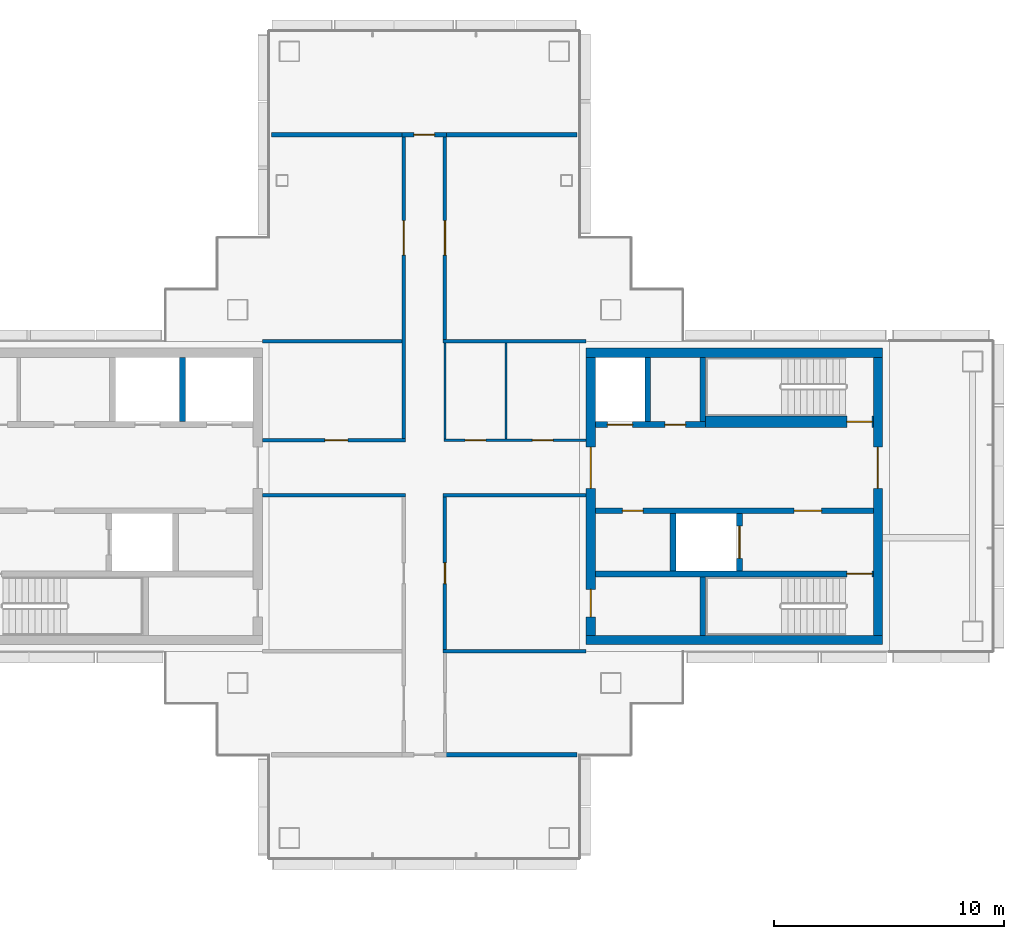
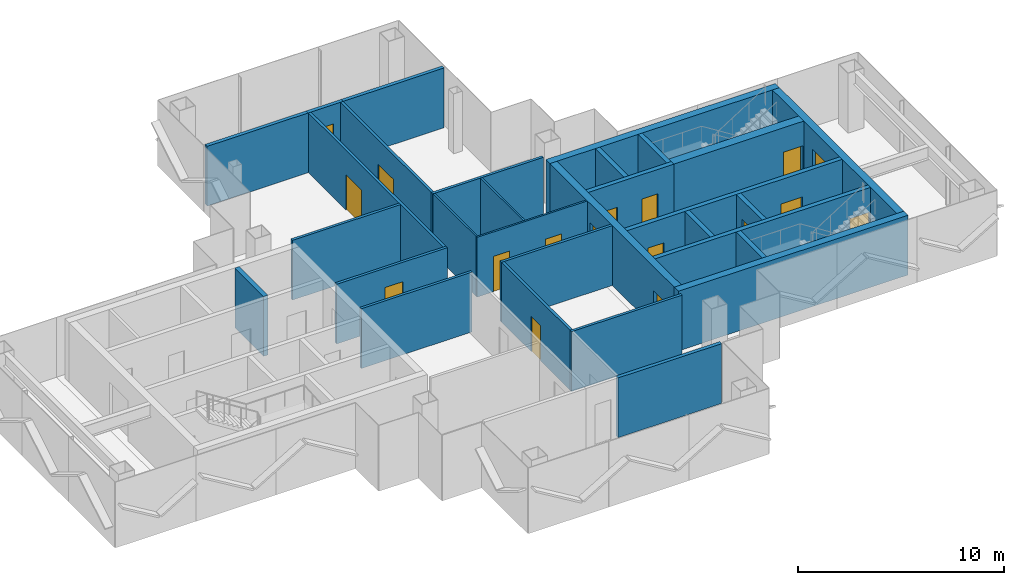
# One storey, part 12 of 17: 30 walls, 17 doors, 17 openings.
"""IFC4 building model written with IfcOpenShell, lengths in metres."""

from ifc_helpers import new_model, si_unit, direction, frame, frame_2d, origin, place, context, subcontext, project, spatial, rectangle, extrude, material, layer, layer_set, type_object, element, fill, save


model = new_model("IFC4")

# Units and contexts
model_context = context("Model", 3, precision=1e-05, world=origin(), true_north=direction((0.0, 1.0)))
body_context = subcontext(model_context, "Body", "Model", "MODEL_VIEW")
ifc_project = project(units=[si_unit("LENGTHUNIT", "METRE"), si_unit("AREAUNIT", "SQUARE_METRE"), si_unit("VOLUMEUNIT", "CUBIC_METRE"), si_unit("PLANEANGLEUNIT", "RADIAN"), si_unit("MASSUNIT", "GRAM", prefix="KILO")], contexts=[model_context])

# Site, building, storey
site_placement = place(None, origin())
site = spatial("IfcSite", under=ifc_project, at=site_placement, CompositionType="ELEMENT")
building_placement = place(site_placement, origin())
building = spatial("IfcBuilding", under=site, at=building_placement, Name="Shamsa Quay Exchange Towers", CompositionType="ELEMENT")
storey_placement = place(building_placement, frame((0.0, 0.0, 253.800048828125)))
storey = spatial("IfcBuildingStorey", under=building, at=storey_placement, Name="L61", CompositionType="ELEMENT", Elevation=253.800048828125)

# Wall, opening, door
ifc_material_1 = material(Name="Double-leaf gypsum board partition with acoustic insulation")
ifc_layer_1 = layer(ifc_material_1, 0.199951171875)
ifc_layer_set_1 = layer_set([ifc_layer_1], Name="Acoustic partition 200 mm EI 60")
wall_type_1 = type_object("IfcWallType", Name="Acoustic partition 200 mm EI 60", PredefinedType="PARTITIONING", material=ifc_layer_set_1)
wall_1_placement = place(storey_placement, frame((32.774658203125, 15.75, 0.0)))
wall_1 = element("IfcWall", 1, at=wall_1_placement, inside=storey, type_object=wall_type_1, Name="Partition T2-R27-W10", PredefinedType="PARTITIONING", context=body_context, shape_type="SweptSolid", body=[
    extrude(rectangle(XDim=1.95068359375, YDim=0.199951171875, at=frame_2d((0.975341796875, 0.0))), origin(), (0.0, 0.0, 1.0), 3.550048828125),
])
opening_1_placement = place(wall_1_placement, frame((0.525390625, 0.0, 0.0)))
opening_1 = element("IfcOpeningElement", 2, at=opening_1_placement, cuts=wall_1, Name="Opening T2-R27-D06", PredefinedType="OPENING", context=body_context, shape_type="SweptSolid", body=[
    extrude(rectangle(XDim=0.89990234375, YDim=2.39990234375, at=frame_2d((0.449951171875, 1.199951171875))), frame((0.0, 0.10986328125, 0.0), z_axis=(0.0, -1.0, 0.0), x_axis=(1.0, 0.0, 0.0)), (0.0, 0.0, 1.0), 0.219970703125),
])
ifc_material_2 = material(Name="Timber door leaf in a metal frame", Category="wood")
door_type_1 = type_object("IfcDoorType", Name="Door 900x2400 FD30S", OperationType="NOTDEFINED", PredefinedType="DOOR", material=ifc_material_2)
door_1_placement = place(opening_1_placement, origin())
door_1 = element("IfcDoor", 3, at=door_1_placement, inside=storey, type_object=door_type_1, Name="Door T2-R27-D06", OperationType="SINGLE_SWING_RIGHT", OverallHeight=2.39990234375, OverallWidth=0.89990234375, PredefinedType="DOOR", context=body_context, shape_type="SweptSolid", body=[
    extrude(rectangle(XDim=0.89990234375, YDim=2.39990234375, at=frame_2d((0.449951171875, 1.199951171875))), frame((0.0, 0.02490234375, 0.0), z_axis=(0.0, -1.0, 0.0), x_axis=(1.0, 0.0, 0.0)), (0.0, 0.0, 1.0), 0.050048828125),
])
fill(opening_1, door_1)

# Walls
for number, where, z_axis, x_axis, name in (
    (4, (32.924560546875, 15.75, 0.0), (0.0, 0.0, 1.0), (-1.0, 0.0, 0.0), "Partition T2-R27-W18"),
    (5, (40.405029296875, 15.75, 0.0), (0.0, 0.0, 1.0), (-1.0, 0.0, 0.0), "Partition T2-R27-W19"),
):
    element("IfcWall", number, at=place(storey_placement, frame(where, z_axis=z_axis, x_axis=x_axis)), inside=storey, type_object=wall_type_1, Name=name, PredefinedType="PARTITIONING", context=body_context, shape_type="SweptSolid", body=[
        extrude(rectangle(XDim=5.82958984375, YDim=0.199951171875, at=frame_2d((2.914794921875, 0.0))), origin(), (0.0, 0.0, 1.0), 3.550048828125),
    ])
wall_2_placement = place(storey_placement, frame((34.587890625, -11.25, 0.0)))
element("IfcWall", 6, at=wall_2_placement, inside=storey, type_object=wall_type_1, Name="Partition T2-R27-W20", PredefinedType="PARTITIONING", context=body_context, shape_type="SweptSolid", body=[
    extrude(rectangle(XDim=5.817138671875, YDim=0.199951171875, at=frame_2d((2.90869140625, 0.0))), origin(), (0.0, 0.0, 1.0), 3.550048828125),
])
ifc_material_3 = material(Name="Concrete C60/75", Category="concrete")
ifc_layer_2 = layer(ifc_material_3, 0.39990234375)
ifc_layer_set_2 = layer_set([ifc_layer_2], Name="CORE WALL 400 C60/75")
wall_type_2 = type_object("IfcWallType", Name="CORE WALL 400 C60/75", PredefinedType="SHEAR", material=ifc_layer_set_2)
for number, where, z_axis, x_axis, name in (
    (7, (53.699951171875, -6.25, 0.0), (0.0, 0.0, 1.0), (-1.0, 0.0, 0.0), "Core wall T2B-R27-PS"),
    (8, (53.699951171875, 6.25, 0.0), (0.0, 0.0, 1.0), (-1.0, 0.0, 0.0), "Core wall T2B-R27-PN"),
):
    element("IfcWall", number, at=place(storey_placement, frame(where, z_axis=z_axis, x_axis=x_axis)), inside=storey, type_object=wall_type_2, Name=name, PredefinedType="SHEAR", context=body_context, shape_type="SweptSolid", body=[
        extrude(rectangle(XDim=12.89990234375, YDim=0.39990234375, at=frame_2d((6.449951171875, 0.0))), origin(), (0.0, 0.0, 1.0), 3.550048828125),
    ])

# Wall, opening, door
wall_3_placement = place(storey_placement, frame((53.5, -6.050048828125, 0.0), z_axis=(0.0, 0.0, 1.0), x_axis=(0.0, 1.0, 0.0)))
wall_3 = element("IfcWall", 9, at=wall_3_placement, inside=storey, type_object=wall_type_2, Name="Core wall T2B-R27-PF", PredefinedType="SHEAR", context=body_context, shape_type="SweptSolid", body=[
    extrude(rectangle(XDim=12.10009765625, YDim=0.39990234375, at=frame_2d((6.050048828125, 0.0))), origin(), (0.0, 0.0, 1.0), 3.550048828125),
])
opening_2_placement = place(wall_3_placement, frame((6.39990234375, 0.0, 0.0)))
opening_2 = element("IfcOpeningElement", 10, at=opening_2_placement, cuts=wall_3, Name="Opening T2B-R27-LBD01", PredefinedType="OPENING", context=body_context, shape_type="SweptSolid", body=[
    extrude(rectangle(XDim=1.800048828125, YDim=2.39990234375, at=frame_2d((0.89990234375, 1.199951171875))), frame((0.0, 0.2099609375, 0.0), z_axis=(0.0, -1.0, 0.0), x_axis=(1.0, 0.0, 0.0)), (0.0, 0.0, 1.0), 0.419921875),
])
ifc_material_4 = material(Name="Steel, fire rated", Category="steel")
door_type_2 = type_object("IfcDoorType", Name="LIFT LOBBY DOOR PAIR 1800", OperationType="DOUBLE_DOOR_SINGLE_SWING", PredefinedType="DOOR", material=ifc_material_4)
door_2_placement = place(opening_2_placement, origin())
door_2 = element("IfcDoor", 11, at=door_2_placement, inside=storey, type_object=door_type_2, Name="T2B-R27-LBD01", OperationType="DOUBLE_DOOR_SINGLE_SWING", OverallHeight=2.39990234375, OverallWidth=1.800048828125, PredefinedType="DOOR", context=body_context, shape_type="SweptSolid", body=[
    extrude(rectangle(XDim=1.800048828125, YDim=2.39990234375, at=frame_2d((0.89990234375, 1.199951171875))), frame((0.0, 0.02490234375, 0.0), z_axis=(0.0, -1.0, 0.0), x_axis=(1.0, 0.0, 0.0)), (0.0, 0.0, 1.0), 0.050048828125),
])
fill(opening_2, door_2)

# Wall, openings, doors
wall_4_placement = place(storey_placement, frame((41.0, -6.050048828125, 0.0), z_axis=(0.0, 0.0, 1.0), x_axis=(0.0, 1.0, 0.0)))
wall_4 = element("IfcWall", 12, at=wall_4_placement, inside=storey, type_object=wall_type_2, Name="Core wall T2B-R27-PB", PredefinedType="SHEAR", context=body_context, shape_type="SweptSolid", body=[
    extrude(rectangle(XDim=12.10009765625, YDim=0.39990234375, at=frame_2d((6.050048828125, 0.0))), origin(), (0.0, 0.0, 1.0), 3.550048828125),
])
opening_3_placement = place(wall_4_placement, frame((0.800048828125, 0.0, 0.0)))
opening_3 = element("IfcOpeningElement", 13, at=opening_3_placement, cuts=wall_4, Name="Opening T2B-R27-RD02", PredefinedType="OPENING", context=body_context, shape_type="SweptSolid", body=[
    extrude(rectangle(XDim=1.199951171875, YDim=2.10009765625, at=frame_2d((0.60009765625, 1.050048828125))), frame((0.0, 0.2099609375, 0.0), z_axis=(0.0, -1.0, 0.0), x_axis=(1.0, 0.0, 0.0)), (0.0, 0.0, 1.0), 0.419921875),
])
opening_4_placement = place(wall_4_placement, frame((6.39990234375, 0.0, 0.0)))
opening_4 = element("IfcOpeningElement", 14, at=opening_4_placement, cuts=wall_4, Name="Opening T2B-R27-LBD03", PredefinedType="OPENING", context=body_context, shape_type="SweptSolid", body=[
    extrude(rectangle(XDim=1.800048828125, YDim=2.39990234375, at=frame_2d((0.89990234375, 1.199951171875))), frame((0.0, 0.2099609375, 0.0), z_axis=(0.0, -1.0, 0.0), x_axis=(1.0, 0.0, 0.0)), (0.0, 0.0, 1.0), 0.419921875),
])
door_3_placement = place(opening_4_placement, origin())
door_3 = element("IfcDoor", 15, at=door_3_placement, inside=storey, type_object=door_type_2, Name="T2B-R27-LBD03", OperationType="DOUBLE_DOOR_SINGLE_SWING", OverallHeight=2.39990234375, OverallWidth=1.800048828125, PredefinedType="DOOR", context=body_context, shape_type="SweptSolid", body=[
    extrude(rectangle(XDim=1.800048828125, YDim=2.39990234375, at=frame_2d((0.89990234375, 1.199951171875))), frame((0.0, 0.02490234375, 0.0), z_axis=(0.0, -1.0, 0.0), x_axis=(1.0, 0.0, 0.0)), (0.0, 0.0, 1.0), 0.050048828125),
])
fill(opening_4, door_3)
door_type_3 = type_object("IfcDoorType", Name="RISER ACCESS DOOR 1200", OperationType="SINGLE_SWING_LEFT", PredefinedType="DOOR", material=ifc_material_4)
door_4_placement = place(opening_3_placement, origin())
door_4 = element("IfcDoor", 16, at=door_4_placement, inside=storey, type_object=door_type_3, Name="T2B-R27-RD02", OperationType="SINGLE_SWING_LEFT", OverallHeight=2.10009765625, OverallWidth=1.199951171875, PredefinedType="DOOR", context=body_context, shape_type="SweptSolid", body=[
    extrude(rectangle(XDim=1.199951171875, YDim=2.10009765625, at=frame_2d((0.60009765625, 1.050048828125))), frame((0.0, 0.02490234375, 0.0), z_axis=(0.0, -1.0, 0.0), x_axis=(1.0, 0.0, 0.0)), (0.0, 0.0, 1.0), 0.050048828125),
])
fill(opening_3, door_4)

ifc_material_5 = material(Name="Gypsum board partition on metal studs")
ifc_layer_3 = layer(ifc_material_5, 0.10009765625)
ifc_layer_set_3 = layer_set([ifc_layer_3], Name="Partition 100 mm NOT RATED")
wall_type_3 = type_object("IfcWallType", Name="Partition 100 mm NOT RATED", PredefinedType="PARTITIONING", material=ifc_layer_set_3)
wall_5_placement = place(storey_placement, frame((34.600341796875, 2.4501953125, 0.0)))
wall_5 = element("IfcWall", 17, at=wall_5_placement, inside=storey, type_object=wall_type_3, Name="Partition T2-R27-W06", PredefinedType="PARTITIONING", context=body_context, shape_type="SweptSolid", body=[
    extrude(rectangle(XDim=6.19970703125, YDim=0.10009765625, at=frame_2d((3.099853515625, 0.0))), origin(), (0.0, 0.0, 1.0), 3.550048828125),
])
opening_5_placement = place(wall_5_placement, frame((3.85595703125, 0.0, 0.0)))
opening_5 = element("IfcOpeningElement", 18, at=opening_5_placement, cuts=wall_5, Name="Opening T2-R27-D01", PredefinedType="OPENING", context=body_context, shape_type="SweptSolid", body=[
    extrude(rectangle(XDim=0.89990234375, YDim=2.10009765625, at=frame_2d((0.449951171875, 1.050048828125))), frame((0.0, 0.06005859375, 0.0), z_axis=(0.0, -1.0, 0.0), x_axis=(1.0, 0.0, 0.0)), (0.0, 0.0, 1.0), 0.1201171875),
])
opening_6_placement = place(wall_5_placement, frame((0.93115234375, 0.0, 0.0)))
opening_6 = element("IfcOpeningElement", 19, at=opening_6_placement, cuts=wall_5, Name="Opening T2-R27-D02", PredefinedType="OPENING", context=body_context, shape_type="SweptSolid", body=[
    extrude(rectangle(XDim=0.89990234375, YDim=2.10009765625, at=frame_2d((0.449951171875, 1.050048828125))), frame((0.0, 0.06005859375, 0.0), z_axis=(0.0, -1.0, 0.0), x_axis=(1.0, 0.0, 0.0)), (0.0, 0.0, 1.0), 0.1201171875),
])
door_type_4 = type_object("IfcDoorType", Name="Door 900x2100 NOT RATED", OperationType="NOTDEFINED", PredefinedType="DOOR", material=ifc_material_2)
door_5_placement = place(opening_5_placement, origin())
door_5 = element("IfcDoor", 20, at=door_5_placement, inside=storey, type_object=door_type_4, Name="Door T2-R27-D01", OperationType="SINGLE_SWING_RIGHT", OverallHeight=2.10009765625, OverallWidth=0.89990234375, PredefinedType="DOOR", context=body_context, shape_type="SweptSolid", body=[
    extrude(rectangle(XDim=0.89990234375, YDim=2.10009765625, at=frame_2d((0.449951171875, 1.050048828125))), frame((0.0, 0.02490234375, 0.0), z_axis=(0.0, -1.0, 0.0), x_axis=(1.0, 0.0, 0.0)), (0.0, 0.0, 1.0), 0.050048828125),
])
fill(opening_5, door_5)
door_6_placement = place(opening_6_placement, origin())
door_6 = element("IfcDoor", 21, at=door_6_placement, inside=storey, type_object=door_type_4, Name="Door T2-R27-D02", OperationType="SINGLE_SWING_RIGHT", OverallHeight=2.10009765625, OverallWidth=0.89990234375, PredefinedType="DOOR", context=body_context, shape_type="SweptSolid", body=[
    extrude(rectangle(XDim=0.89990234375, YDim=2.10009765625, at=frame_2d((0.449951171875, 1.050048828125))), frame((0.0, 0.02490234375, 0.0), z_axis=(0.0, -1.0, 0.0), x_axis=(1.0, 0.0, 0.0)), (0.0, 0.0, 1.0), 0.050048828125),
])
fill(opening_6, door_6)

# Walls
for number, where, z_axis, x_axis, name in (
    (22, (34.650390625, 6.675048828125, 0.0), (0.0, 0.0, 1.0), (0.0, -1.0, 0.0), "Partition T2-R27-W07"),
    (23, (37.3125, 6.675048828125, 0.0), (0.0, 0.0, 1.0), (0.0, -1.0, 0.0), "Partition T2-R27-W17"),
):
    element("IfcWall", number, at=place(storey_placement, frame(where, z_axis=z_axis, x_axis=x_axis)), inside=storey, type_object=wall_type_3, Name=name, PredefinedType="PARTITIONING", context=body_context, shape_type="SweptSolid", body=[
        extrude(rectangle(XDim=4.1748046875, YDim=0.10009765625, at=frame_2d((2.08740234375, 0.0))), origin(), (0.0, 0.0, 1.0), 3.550048828125),
    ])

# Wall, opening, door
ifc_layer_4 = layer(ifc_material_5, 0.14990234375)
ifc_layer_set_4 = layer_set([ifc_layer_4], Name="Partition 150 mm EI 60")
wall_type_4 = type_object("IfcWallType", Name="Partition 150 mm EI 60", PredefinedType="PARTITIONING", material=ifc_layer_set_4)
wall_6_placement = place(storey_placement, frame((32.849609375, 2.525146484375, 0.0), z_axis=(0.0, 0.0, 1.0), x_axis=(0.0, 1.0, 0.0)))
wall_6 = element("IfcWall", 24, at=wall_6_placement, inside=storey, type_object=wall_type_4, Name="Partition T2-R27-W01", PredefinedType="PARTITIONING", context=body_context, shape_type="SweptSolid", body=[
    extrude(rectangle(XDim=13.124755859375, YDim=0.14990234375, at=frame_2d((6.5625, 0.0))), origin(), (0.0, 0.0, 1.0), 3.550048828125),
])
opening_7_placement = place(wall_6_placement, frame((7.974853515625, 0.0, 0.0)))
opening_7 = element("IfcOpeningElement", 25, at=opening_7_placement, cuts=wall_6, Name="Opening T2-R27-D11", PredefinedType="OPENING", context=body_context, shape_type="SweptSolid", body=[
    extrude(rectangle(XDim=1.5, YDim=2.10009765625, at=frame_2d((0.75, 1.050048828125))), frame((0.0, 0.0849609375, 0.0), z_axis=(0.0, -1.0, 0.0), x_axis=(1.0, 0.0, 0.0)), (0.0, 0.0, 1.0), 0.169921875),
])
door_type_5 = type_object("IfcDoorType", Name="Door 1500x2100 FD30S pair", OperationType="NOTDEFINED", PredefinedType="DOOR", material=ifc_material_2)
door_7_placement = place(opening_7_placement, origin())
door_7 = element("IfcDoor", 26, at=door_7_placement, inside=storey, type_object=door_type_5, Name="Door T2-R27-D11", OperationType="DOUBLE_DOOR_SINGLE_SWING", OverallHeight=2.10009765625, OverallWidth=1.5, PredefinedType="DOOR", context=body_context, shape_type="SweptSolid", body=[
    extrude(rectangle(XDim=1.5, YDim=2.10009765625, at=frame_2d((0.75, 1.050048828125))), frame((0.0, 0.02490234375, 0.0), z_axis=(0.0, -1.0, 0.0), x_axis=(1.0, 0.0, 0.0)), (0.0, 0.0, 1.0), 0.050048828125),
])
fill(opening_7, door_7)

wall_7_placement = place(storey_placement, frame((26.699951171875, 2.4501953125, 0.0)))
wall_7 = element("IfcWall", 27, at=wall_7_placement, inside=storey, type_object=wall_type_4, Name="Partition T2-R27-W03", PredefinedType="PARTITIONING", context=body_context, shape_type="SweptSolid", body=[
    extrude(rectangle(XDim=6.224609375, YDim=0.14990234375, at=frame_2d((3.1123046875, 0.0))), origin(), (0.0, 0.0, 1.0), 3.550048828125),
])
opening_8_placement = place(wall_7_placement, frame((2.724853515625, 0.0, 0.0)))
opening_8 = element("IfcOpeningElement", 28, at=opening_8_placement, cuts=wall_7, Name="Opening T2-R27-D10", PredefinedType="OPENING", context=body_context, shape_type="SweptSolid", body=[
    extrude(rectangle(XDim=1.0, YDim=2.39990234375, at=frame_2d((0.5, 1.199951171875))), frame((0.0, 0.0849609375, 0.0), z_axis=(0.0, -1.0, 0.0), x_axis=(1.0, 0.0, 0.0)), (0.0, 0.0, 1.0), 0.169921875),
])
door_type_6 = type_object("IfcDoorType", Name="Door 1000x2400 FD30S", OperationType="NOTDEFINED", PredefinedType="DOOR", material=ifc_material_2)
door_8_placement = place(opening_8_placement, origin())
door_8 = element("IfcDoor", 29, at=door_8_placement, inside=storey, type_object=door_type_6, Name="Door T2-R27-D10", OperationType="SINGLE_SWING_LEFT", OverallHeight=2.39990234375, OverallWidth=1.0, PredefinedType="DOOR", context=body_context, shape_type="SweptSolid", body=[
    extrude(rectangle(XDim=1.0, YDim=2.39990234375, at=frame_2d((0.5, 1.199951171875))), frame((0.0, 0.02490234375, 0.0), z_axis=(0.0, -1.0, 0.0), x_axis=(1.0, 0.0, 0.0)), (0.0, 0.0, 1.0), 0.050048828125),
])
fill(opening_8, door_8)

# Walls
for number, where, z_axis, x_axis, name in (
    (30, (32.924560546875, 0.0498046875, 0.0), (0.0, 0.0, 1.0), (-1.0, 0.0, 0.0), "Partition T2-R27-W04"),
    (31, (40.800048828125, 0.0498046875, 0.0), (0.0, 0.0, 1.0), (-1.0, 0.0, 0.0), "Partition T2-R27-W05"),
):
    element("IfcWall", number, at=place(storey_placement, frame(where, z_axis=z_axis, x_axis=x_axis)), inside=storey, type_object=wall_type_4, Name=name, PredefinedType="PARTITIONING", context=body_context, shape_type="SweptSolid", body=[
        extrude(rectangle(XDim=6.224609375, YDim=0.14990234375, at=frame_2d((3.1123046875, 0.0))), origin(), (0.0, 0.0, 1.0), 3.550048828125),
    ])

# Wall, opening, door
wall_8_placement = place(storey_placement, frame((34.650390625, -0.025146484375, 0.0), z_axis=(0.0, 0.0, 1.0), x_axis=(0.0, -1.0, 0.0)))
wall_8 = element("IfcWall", 32, at=wall_8_placement, inside=storey, type_object=wall_type_4, Name="Partition T2-R27-W08", PredefinedType="PARTITIONING", context=body_context, shape_type="SweptSolid", body=[
    extrude(rectangle(XDim=6.64990234375, YDim=0.14990234375, at=frame_2d((3.324951171875, 0.0))), origin(), (0.0, 0.0, 1.0), 3.550048828125),
])
opening_9_placement = place(wall_8_placement, frame((2.875, 0.0, 0.0)))
opening_9 = element("IfcOpeningElement", 33, at=opening_9_placement, cuts=wall_8, Name="Opening T2-R27-D04", PredefinedType="OPENING", context=body_context, shape_type="SweptSolid", body=[
    extrude(rectangle(XDim=0.89990234375, YDim=2.10009765625, at=frame_2d((0.449951171875, 1.050048828125))), frame((0.0, 0.0849609375, 0.0), z_axis=(0.0, -1.0, 0.0), x_axis=(1.0, 0.0, 0.0)), (0.0, 0.0, 1.0), 0.169921875),
])
door_type_7 = type_object("IfcDoorType", Name="Door 900x2100 FD30S", OperationType="NOTDEFINED", PredefinedType="DOOR", material=ifc_material_2)
door_9_placement = place(opening_9_placement, origin())
door_9 = element("IfcDoor", 34, at=door_9_placement, inside=storey, type_object=door_type_7, Name="Door T2-R27-D04", OperationType="SINGLE_SWING_LEFT", OverallHeight=2.10009765625, OverallWidth=0.89990234375, PredefinedType="DOOR", context=body_context, shape_type="SweptSolid", body=[
    extrude(rectangle(XDim=0.89990234375, YDim=2.10009765625, at=frame_2d((0.449951171875, 1.050048828125))), frame((0.0, 0.02490234375, 0.0), z_axis=(0.0, -1.0, 0.0), x_axis=(1.0, 0.0, 0.0)), (0.0, 0.0, 1.0), 0.050048828125),
])
fill(opening_9, door_9)

wall_9_placement = place(storey_placement, frame((34.650390625, 15.64990234375, 0.0), z_axis=(0.0, 0.0, 1.0), x_axis=(0.0, -1.0, 0.0)))
wall_9 = element("IfcWall", 35, at=wall_9_placement, inside=storey, type_object=wall_type_4, Name="Partition T2-R27-W09", PredefinedType="PARTITIONING", context=body_context, shape_type="SweptSolid", body=[
    extrude(rectangle(XDim=8.824951171875, YDim=0.14990234375, at=frame_2d((4.41259765625, 0.0))), origin(), (0.0, 0.0, 1.0), 3.550048828125),
])
opening_10_placement = place(wall_9_placement, frame((3.64990234375, 0.0, 0.0)))
opening_10 = element("IfcOpeningElement", 36, at=opening_10_placement, cuts=wall_9, Name="Opening T2-R27-D05", PredefinedType="OPENING", context=body_context, shape_type="SweptSolid", body=[
    extrude(rectangle(XDim=1.5, YDim=2.10009765625, at=frame_2d((0.75, 1.050048828125))), frame((0.0, 0.0849609375, 0.0), z_axis=(0.0, -1.0, 0.0), x_axis=(1.0, 0.0, 0.0)), (0.0, 0.0, 1.0), 0.169921875),
])
door_10_placement = place(opening_10_placement, origin())
door_10 = element("IfcDoor", 37, at=door_10_placement, inside=storey, type_object=door_type_5, Name="Door T2-R27-D05", OperationType="DOUBLE_DOOR_SINGLE_SWING", OverallHeight=2.10009765625, OverallWidth=1.5, PredefinedType="DOOR", context=body_context, shape_type="SweptSolid", body=[
    extrude(rectangle(XDim=1.5, YDim=2.10009765625, at=frame_2d((0.75, 1.050048828125))), frame((0.0, 0.02490234375, 0.0), z_axis=(0.0, -1.0, 0.0), x_axis=(1.0, 0.0, 0.0)), (0.0, 0.0, 1.0), 0.050048828125),
])
fill(opening_10, door_10)

# Walls
wall_10_placement = place(storey_placement, frame((32.774658203125, 6.75, 0.0), z_axis=(0.0, 0.0, 1.0), x_axis=(-1.0, 0.0, 0.0)))
element("IfcWall", 38, at=wall_10_placement, inside=storey, type_object=wall_type_4, Name="Partition T2-R27-W13", PredefinedType="PARTITIONING", context=body_context, shape_type="SweptSolid", body=[
    extrude(rectangle(XDim=6.07470703125, YDim=0.14990234375, at=frame_2d((3.037353515625, 0.0))), origin(), (0.0, 0.0, 1.0), 3.550048828125),
])
wall_11_placement = place(storey_placement, frame((40.800048828125, 6.75, 0.0), z_axis=(0.0, 0.0, 1.0), x_axis=(-1.0, 0.0, 0.0)))
element("IfcWall", 39, at=wall_11_placement, inside=storey, type_object=wall_type_4, Name="Partition T2-R27-W14", PredefinedType="PARTITIONING", context=body_context, shape_type="SweptSolid", body=[
    extrude(rectangle(XDim=6.224609375, YDim=0.14990234375, at=frame_2d((3.1123046875, 0.0))), origin(), (0.0, 0.0, 1.0), 3.550048828125),
])
wall_12_placement = place(storey_placement, frame((34.575439453125, -6.75, 0.0)))
element("IfcWall", 40, at=wall_12_placement, inside=storey, type_object=wall_type_4, Name="Partition T2-R27-W15", PredefinedType="PARTITIONING", context=body_context, shape_type="SweptSolid", body=[
    extrude(rectangle(XDim=6.224609375, YDim=0.14990234375, at=frame_2d((3.1123046875, 0.0))), origin(), (0.0, 0.0, 1.0), 3.550048828125),
])
ifc_material_6 = material(Name="Concrete C50/60", Category="concrete")
ifc_layer_5 = layer(ifc_material_6, 0.25)
ifc_layer_set_5 = layer_set([ifc_layer_5], Name="SHAFT WALL 250 C50/60")
wall_type_5 = type_object("IfcWallType", Name="SHAFT WALL 250 C50/60", PredefinedType="SHEAR", material=ifc_layer_set_5)
wall_13_placement = place(storey_placement, frame((23.22509765625, 3.25, 0.0), z_axis=(0.0, 0.0, 1.0), x_axis=(0.0, 1.0, 0.0)))
element("IfcWall", 41, at=wall_13_placement, inside=storey, type_object=wall_type_5, Name="Shaft wall T2A-R27-D2", PredefinedType="SHEAR", context=body_context, shape_type="SweptSolid", body=[
    extrude(rectangle(XDim=2.800048828125, YDim=0.25, at=frame_2d((1.39990234375, 0.0))), origin(), (0.0, 0.0, 1.0), 3.550048828125),
])

# Wall, opening, door
wall_14_placement = place(storey_placement, frame((53.300048828125, -3.375, 0.0), z_axis=(0.0, 0.0, 1.0), x_axis=(-1.0, 0.0, 0.0)))
wall_14 = element("IfcWall", 42, at=wall_14_placement, inside=storey, type_object=wall_type_5, Name="Shaft wall T2B-R27-STL", PredefinedType="SHEAR", context=body_context, shape_type="SweptSolid", body=[
    extrude(rectangle(XDim=12.10009765625, YDim=0.25, at=frame_2d((6.050048828125, 0.0))), origin(), (0.0, 0.0, 1.0), 3.550048828125),
])
opening_11_placement = place(wall_14_placement, frame((0.050048828125, 0.0, 0.0)))
opening_11 = element("IfcOpeningElement", 43, at=opening_11_placement, cuts=wall_14, Name="Opening T2B-R27-SD04", PredefinedType="OPENING", context=body_context, shape_type="SweptSolid", body=[
    extrude(rectangle(XDim=1.10009765625, YDim=2.10009765625, at=frame_2d((0.550048828125, 1.050048828125))), frame((0.0, 0.135009765625, 0.0), z_axis=(0.0, -1.0, 0.0), x_axis=(1.0, 0.0, 0.0)), (0.0, 0.0, 1.0), 0.27001953125),
])
door_type_8 = type_object("IfcDoorType", Name="STAIR DOOR 1100", OperationType="SINGLE_SWING_LEFT", PredefinedType="DOOR", material=ifc_material_4)
door_11_placement = place(opening_11_placement, origin())
door_11 = element("IfcDoor", 44, at=door_11_placement, inside=storey, type_object=door_type_8, Name="T2B-R27-SD04", OperationType="SINGLE_SWING_LEFT", OverallHeight=2.10009765625, OverallWidth=1.10009765625, PredefinedType="DOOR", context=body_context, shape_type="SweptSolid", body=[
    extrude(rectangle(XDim=1.10009765625, YDim=2.10009765625, at=frame_2d((0.550048828125, 1.050048828125))), frame((0.0, 0.02490234375, 0.0), z_axis=(0.0, -1.0, 0.0), x_axis=(1.0, 0.0, 0.0)), (0.0, 0.0, 1.0), 0.050048828125),
])
fill(opening_11, door_11)

# Wall
wall_15_placement = place(storey_placement, frame((45.875, -6.050048828125, 0.0), z_axis=(0.0, 0.0, 1.0), x_axis=(0.0, 1.0, 0.0)))
element("IfcWall", 45, at=wall_15_placement, inside=storey, type_object=wall_type_5, Name="Shaft wall T2B-R27-STF", PredefinedType="SHEAR", context=body_context, shape_type="SweptSolid", body=[
    extrude(rectangle(XDim=2.550048828125, YDim=0.25, at=frame_2d((1.27490234375, 0.0))), origin(), (0.0, 0.0, 1.0), 3.550048828125),
])

# Wall, openings, doors
wall_16_placement = place(storey_placement, frame((53.300048828125, -0.625, 0.0), z_axis=(0.0, 0.0, 1.0), x_axis=(-1.0, 0.0, 0.0)))
wall_16 = element("IfcWall", 46, at=wall_16_placement, inside=storey, type_object=wall_type_5, Name="Shaft wall T2B-R27-B", PredefinedType="SHEAR", context=body_context, shape_type="SweptSolid", body=[
    extrude(rectangle(XDim=12.10009765625, YDim=0.25, at=frame_2d((6.050048828125, 0.0))), origin(), (0.0, 0.0, 1.0), 3.550048828125),
])
opening_12_placement = place(wall_16_placement, frame((2.25, 0.0, 0.0)))
opening_12 = element("IfcOpeningElement", 47, at=opening_12_placement, cuts=wall_16, Name="Opening T2B-R27-FD05", PredefinedType="OPENING", context=body_context, shape_type="SweptSolid", body=[
    extrude(rectangle(XDim=1.199951171875, YDim=2.10009765625, at=frame_2d((0.60009765625, 1.050048828125))), frame((0.0, 0.135009765625, 0.0), z_axis=(0.0, -1.0, 0.0), x_axis=(1.0, 0.0, 0.0)), (0.0, 0.0, 1.0), 0.27001953125),
])
opening_13_placement = place(wall_16_placement, frame((10.02490234375, 0.0, 0.0)))
opening_13 = element("IfcOpeningElement", 48, at=opening_13_placement, cuts=wall_16, Name="Opening T2B-R27-SV06", PredefinedType="OPENING", context=body_context, shape_type="SweptSolid", body=[
    extrude(rectangle(XDim=0.89990234375, YDim=2.10009765625, at=frame_2d((0.449951171875, 1.050048828125))), frame((0.0, 0.135009765625, 0.0), z_axis=(0.0, -1.0, 0.0), x_axis=(1.0, 0.0, 0.0)), (0.0, 0.0, 1.0), 0.27001953125),
])
door_type_9 = type_object("IfcDoorType", Name="FIRE SERVICE LOBBY DOOR 1200", OperationType="SINGLE_SWING_LEFT", PredefinedType="DOOR", material=ifc_material_4)
door_12_placement = place(opening_12_placement, origin())
door_12 = element("IfcDoor", 49, at=door_12_placement, inside=storey, type_object=door_type_9, Name="T2B-R27-FD05", OperationType="SINGLE_SWING_LEFT", OverallHeight=2.10009765625, OverallWidth=1.199951171875, PredefinedType="DOOR", context=body_context, shape_type="SweptSolid", body=[
    extrude(rectangle(XDim=1.199951171875, YDim=2.10009765625, at=frame_2d((0.60009765625, 1.050048828125))), frame((0.0, 0.02490234375, 0.0), z_axis=(0.0, -1.0, 0.0), x_axis=(1.0, 0.0, 0.0)), (0.0, 0.0, 1.0), 0.050048828125),
])
fill(opening_12, door_12)
door_type_10 = type_object("IfcDoorType", Name="SERVICE ROOM DOOR 900", OperationType="SINGLE_SWING_LEFT", PredefinedType="DOOR", material=ifc_material_4)
door_13_placement = place(opening_13_placement, origin())
door_13 = element("IfcDoor", 50, at=door_13_placement, inside=storey, type_object=door_type_10, Name="T2B-R27-SV06", OperationType="SINGLE_SWING_RIGHT", OverallHeight=2.10009765625, OverallWidth=0.89990234375, PredefinedType="DOOR", context=body_context, shape_type="SweptSolid", body=[
    extrude(rectangle(XDim=0.89990234375, YDim=2.10009765625, at=frame_2d((0.449951171875, 1.050048828125))), frame((0.0, 0.02490234375, 0.0), z_axis=(0.0, -1.0, 0.0), x_axis=(1.0, 0.0, 0.0)), (0.0, 0.0, 1.0), 0.050048828125),
])
fill(opening_13, door_13)

# Wall, opening, door
wall_17_placement = place(storey_placement, frame((47.47509765625, -3.25, 0.0), z_axis=(0.0, 0.0, 1.0), x_axis=(0.0, 1.0, 0.0)))
wall_17 = element("IfcWall", 51, at=wall_17_placement, inside=storey, type_object=wall_type_5, Name="Shaft wall T2B-R27-FFF", PredefinedType="SHEAR", context=body_context, shape_type="SweptSolid", body=[
    extrude(rectangle(XDim=2.5, YDim=0.25, at=frame_2d((1.25, 0.0))), origin(), (0.0, 0.0, 1.0), 3.550048828125),
])
opening_14_placement = place(wall_17_placement, frame((0.550048828125, 0.0, 0.0)))
opening_14 = element("IfcOpeningElement", 52, at=opening_14_placement, cuts=wall_17, Name="Opening T2B-R27-LDG07", PredefinedType="OPENING", context=body_context, shape_type="SweptSolid", body=[
    extrude(rectangle(XDim=1.39990234375, YDim=2.39990234375, at=frame_2d((0.699951171875, 1.199951171875))), frame((0.0, 0.135009765625, 0.0), z_axis=(0.0, -1.0, 0.0), x_axis=(1.0, 0.0, 0.0)), (0.0, 0.0, 1.0), 0.27001953125),
])
door_type_11 = type_object("IfcDoorType", Name="GOODS LIFT LANDING DOOR 1400", OperationType="SLIDING_TO_LEFT", PredefinedType="DOOR", material=ifc_material_4)
door_14_placement = place(opening_14_placement, origin())
door_14 = element("IfcDoor", 53, at=door_14_placement, inside=storey, type_object=door_type_11, Name="T2B-R27-LDG07", OperationType="SLIDING_TO_LEFT", OverallHeight=2.39990234375, OverallWidth=1.39990234375, PredefinedType="DOOR", context=body_context, shape_type="SweptSolid", body=[
    extrude(rectangle(XDim=1.39990234375, YDim=2.39990234375, at=frame_2d((0.699951171875, 1.199951171875))), frame((0.0, 0.02490234375, 0.0), z_axis=(0.0, -1.0, 0.0), x_axis=(1.0, 0.0, 0.0)), (0.0, 0.0, 1.0), 0.050048828125),
])
fill(opening_14, door_14)

# Wall
wall_18_placement = place(storey_placement, frame((44.574951171875, -3.25, 0.0), z_axis=(0.0, 0.0, 1.0), x_axis=(0.0, 1.0, 0.0)))
element("IfcWall", 54, at=wall_18_placement, inside=storey, type_object=wall_type_5, Name="Shaft wall T2B-R27-FFB", PredefinedType="SHEAR", context=body_context, shape_type="SweptSolid", body=[
    extrude(rectangle(XDim=2.5, YDim=0.25, at=frame_2d((1.25, 0.0))), origin(), (0.0, 0.0, 1.0), 3.550048828125),
])

# Wall, openings, doors
wall_19_placement = place(storey_placement, frame((41.199951171875, 3.125, 0.0)))
wall_19 = element("IfcWall", 55, at=wall_19_placement, inside=storey, type_object=wall_type_5, Name="Shaft wall T2B-R27-N2", PredefinedType="SHEAR", context=body_context, shape_type="SweptSolid", body=[
    extrude(rectangle(XDim=4.800048828125, YDim=0.25, at=frame_2d((2.39990234375, 0.0))), origin(), (0.0, 0.0, 1.0), 3.550048828125),
])
opening_15_placement = place(wall_19_placement, frame((0.52490234375, 0.0, 0.0)))
opening_15 = element("IfcOpeningElement", 56, at=opening_15_placement, cuts=wall_19, Name="Opening T2B-R27-LD09", PredefinedType="OPENING", context=body_context, shape_type="SweptSolid", body=[
    extrude(rectangle(XDim=1.10009765625, YDim=2.10009765625, at=frame_2d((0.550048828125, 1.050048828125))), frame((0.0, 0.135009765625, 0.0), z_axis=(0.0, -1.0, 0.0), x_axis=(1.0, 0.0, 0.0)), (0.0, 0.0, 1.0), 0.27001953125),
])
opening_16_placement = place(wall_19_placement, frame((3.02490234375, 0.0, 0.0)))
opening_16 = element("IfcOpeningElement", 57, at=opening_16_placement, cuts=wall_19, Name="Opening T2B-R27-SV10", PredefinedType="OPENING", context=body_context, shape_type="SweptSolid", body=[
    extrude(rectangle(XDim=0.89990234375, YDim=2.10009765625, at=frame_2d((0.449951171875, 1.050048828125))), frame((0.0, 0.135009765625, 0.0), z_axis=(0.0, -1.0, 0.0), x_axis=(1.0, 0.0, 0.0)), (0.0, 0.0, 1.0), 0.27001953125),
])
door_type_12 = type_object("IfcDoorType", Name="LANDING DOOR 1100", OperationType="SLIDING_TO_LEFT", PredefinedType="DOOR", material=ifc_material_4)
door_15_placement = place(opening_15_placement, origin())
door_15 = element("IfcDoor", 58, at=door_15_placement, inside=storey, type_object=door_type_12, Name="T2B-R27-LD09", OperationType="SLIDING_TO_LEFT", OverallHeight=2.10009765625, OverallWidth=1.10009765625, PredefinedType="DOOR", context=body_context, shape_type="SweptSolid", body=[
    extrude(rectangle(XDim=1.10009765625, YDim=2.10009765625, at=frame_2d((0.550048828125, 1.050048828125))), frame((0.0, 0.02490234375, 0.0), z_axis=(0.0, -1.0, 0.0), x_axis=(1.0, 0.0, 0.0)), (0.0, 0.0, 1.0), 0.050048828125),
])
fill(opening_15, door_15)
door_16_placement = place(opening_16_placement, origin())
door_16 = element("IfcDoor", 59, at=door_16_placement, inside=storey, type_object=door_type_10, Name="T2B-R27-SV10", OperationType="SINGLE_SWING_RIGHT", OverallHeight=2.10009765625, OverallWidth=0.89990234375, PredefinedType="DOOR", context=body_context, shape_type="SweptSolid", body=[
    extrude(rectangle(XDim=0.89990234375, YDim=2.10009765625, at=frame_2d((0.449951171875, 1.050048828125))), frame((0.0, 0.02490234375, 0.0), z_axis=(0.0, -1.0, 0.0), x_axis=(1.0, 0.0, 0.0)), (0.0, 0.0, 1.0), 0.050048828125),
])
fill(opening_16, door_16)

# Walls
for number, where, z_axis, x_axis, name in (
    (60, (45.875, 3.25, 0.0), (0.0, 0.0, 1.0), (0.0, 1.0, 0.0), "Shaft wall T2B-R27-STF2"),
    (61, (43.47509765625, 3.25, 0.0), (0.0, 0.0, 1.0), (0.0, 1.0, 0.0), "Shaft wall T2B-R27-D0"),
):
    element("IfcWall", number, at=place(storey_placement, frame(where, z_axis=z_axis, x_axis=x_axis)), inside=storey, type_object=wall_type_5, Name=name, PredefinedType="SHEAR", context=body_context, shape_type="SweptSolid", body=[
        extrude(rectangle(XDim=2.800048828125, YDim=0.25, at=frame_2d((1.39990234375, 0.0))), origin(), (0.0, 0.0, 1.0), 3.550048828125),
    ])

# Wall, opening, door
ifc_layer_6 = layer(ifc_material_6, 0.5)
ifc_layer_set_6 = layer_set([ifc_layer_6], Name="SHAFT WALL 500 C50/60")
wall_type_6 = type_object("IfcWallType", Name="SHAFT WALL 500 C50/60", PredefinedType="SHEAR", material=ifc_layer_set_6)
wall_20_placement = place(storey_placement, frame((46.0, 3.25, 0.0)))
wall_20 = element("IfcWall", 62, at=wall_20_placement, inside=storey, type_object=wall_type_6, Name="Shaft wall T2B-R27-N", PredefinedType="SHEAR", context=body_context, shape_type="SweptSolid", body=[
    extrude(rectangle(XDim=7.300048828125, YDim=0.5, at=frame_2d((3.64990234375, 0.0))), origin(), (0.0, 0.0, 1.0), 3.550048828125),
])
opening_17_placement = place(wall_20_placement, frame((6.14990234375, 0.0, 0.0)))
opening_17 = element("IfcOpeningElement", 63, at=opening_17_placement, cuts=wall_20, Name="Opening T2B-R27-SD08", PredefinedType="OPENING", context=body_context, shape_type="SweptSolid", body=[
    extrude(rectangle(XDim=1.10009765625, YDim=2.10009765625, at=frame_2d((0.550048828125, 1.050048828125))), frame((0.0, 0.260009765625, 0.0), z_axis=(0.0, -1.0, 0.0), x_axis=(1.0, 0.0, 0.0)), (0.0, 0.0, 1.0), 0.52001953125),
])
door_17_placement = place(opening_17_placement, origin())
door_17 = element("IfcDoor", 64, at=door_17_placement, inside=storey, type_object=door_type_8, Name="T2B-R27-SD08", OperationType="SINGLE_SWING_RIGHT", OverallHeight=2.10009765625, OverallWidth=1.10009765625, PredefinedType="DOOR", context=body_context, shape_type="SweptSolid", body=[
    extrude(rectangle(XDim=1.10009765625, YDim=2.10009765625, at=frame_2d((0.550048828125, 1.050048828125))), frame((0.0, 0.02490234375, 0.0), z_axis=(0.0, -1.0, 0.0), x_axis=(1.0, 0.0, 0.0)), (0.0, 0.0, 1.0), 0.050048828125),
])
fill(opening_17, door_17)

save(model, "model.ifc")
